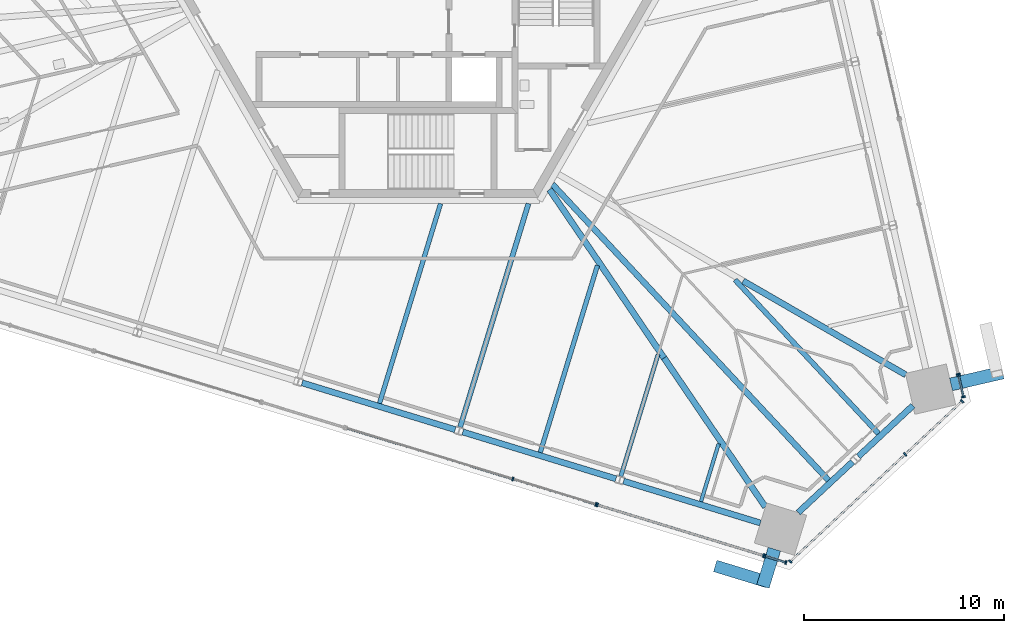
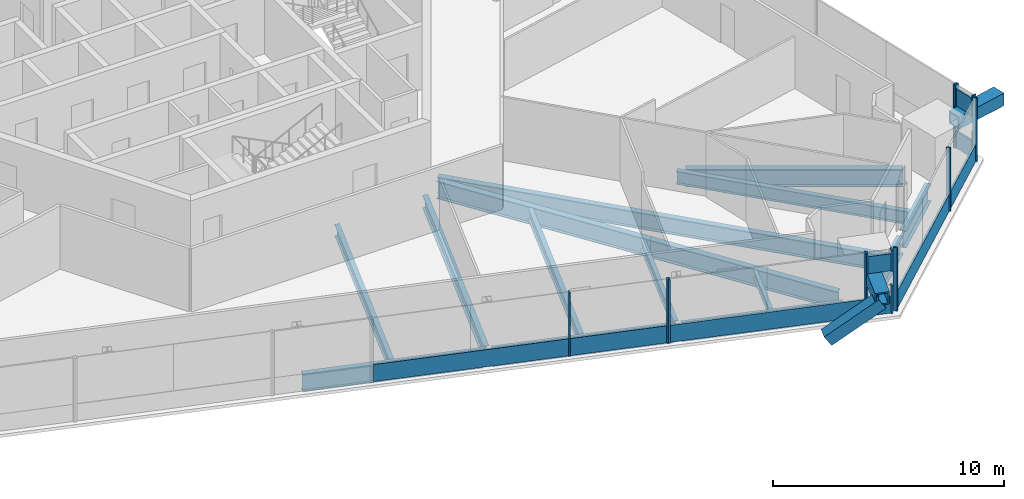
# One storey, part 6 of 25: 28 members, 15 beams, 8 elements without a shape of their own.
"""IFC4 building model written with IfcOpenShell, lengths in metres."""

from ifc_helpers import new_model, si_unit, direction, frame, origin, origin_2d, place, context, subcontext, project, spatial, rectangle, hollow_rectangle, i_section, extrude, source, transform, mapped, material, material_profile, profile_set, type_object, element, aggregate, save


model = new_model("IFC4")

# Units and contexts
model_context = context("Model", 3, precision=1e-05, world=origin(), true_north=direction((0.0, 1.0)))
body_context = subcontext(model_context, "Body", "Model", "MODEL_VIEW")
ifc_project = project(units=[si_unit("LENGTHUNIT", "METRE"), si_unit("AREAUNIT", "SQUARE_METRE"), si_unit("VOLUMEUNIT", "CUBIC_METRE"), si_unit("PLANEANGLEUNIT", "RADIAN"), si_unit("MASSUNIT", "GRAM", prefix="KILO")], contexts=[model_context])

# Site, building, storey
site_placement = place(None, origin())
site = spatial("IfcSite", under=ifc_project, at=site_placement, CompositionType="ELEMENT")
building_placement = place(site_placement, origin())
building = spatial("IfcBuilding", under=site, at=building_placement, Name="Triune Harvest Tower", CompositionType="ELEMENT")
storey_placement = place(building_placement, frame((0.0, 0.0, 130.699951171875)))
storey = spatial("IfcBuildingStorey", under=building, at=storey_placement, Name="L33", CompositionType="ELEMENT", Elevation=130.699951171875)

# Beams
ifc_material_1 = material(Name="Steel ASTM A992 Gr 50", Category="steel")
ifc_material_profile_1 = material_profile(ifc_material_1, i_section(OverallWidth=0.307373046875, OverallDepth=0.922119140625, WebThickness=0.018310546875, FlangeThickness=0.030029296875, at=origin_2d()), Name="W36x182")
ifc_profile_set_1 = profile_set([ifc_material_profile_1], Name="Steel ASTM A992 Gr 50")
beam_type_1 = type_object("IfcBeamType", Name="HG-2 Hip girder W36x182", PredefinedType="BEAM", material=ifc_profile_set_1)
shared_shape_1 = source(origin(), body_context, "Body", "SweptSolid", [
    extrude(i_section(OverallWidth=0.307373046875, OverallDepth=0.922119140625, WebThickness=0.018310546875, FlangeThickness=0.030029296875, at=origin_2d()), origin(), (0.0, 0.0, 1.0), 10.194091796875),
])
beam_1_placement = place(storey_placement, frame((12.31640625, -18.4208984375, -0.620849609375), z_axis=(-0.562397141719, 0.826867253545, 0.0), x_axis=(-0.826867253545, -0.562397141719, 0.0)))
element("IfcBeam", 1, at=beam_1_placement, inside=storey, type_object=beam_type_1, Name="beam/L33/HG8", PredefinedType="BEAM", context=body_context, shape_type="MappedRepresentation", body=[
    mapped(shared_shape_1, transform((0.0, 0.0, 0.0), scale=1.0)),
])
ifc_material_2 = material(Name="Steel ASTM A992 Gr 50", Category="steel")
ifc_material_profile_2 = material_profile(ifc_material_2, i_section(OverallWidth=0.3046875, OverallDepth=0.914306640625, WebThickness=0.0166015625, FlangeThickness=0.02587890625, at=origin_2d()), Name="W36x160")
ifc_profile_set_2 = profile_set([ifc_material_profile_2], Name="Steel ASTM A992 Gr 50")
beam_type_2 = type_object("IfcBeamType", Name="SB-1 Spandrel beam W36x160", PredefinedType="SPANDREL", material=ifc_profile_set_2)
shared_shape_2 = source(origin(), body_context, "Body", "SweptSolid", [
    extrude(i_section(OverallWidth=0.3046875, OverallDepth=0.914306640625, WebThickness=0.0166015625, FlangeThickness=0.02587890625, at=origin_2d()), origin(), (0.0, 0.0, 1.0), 8.018310546875),
])
beam_2_placement = place(storey_placement, frame((-5.805908203125, -19.66748046875, -0.6171875), z_axis=(0.956308069579, -0.292360866152, 0.0), x_axis=(0.292360866152, 0.956308069579, 0.0)))
element("IfcBeam", 2, at=beam_2_placement, inside=storey, type_object=beam_type_2, Name="beam/L33/SB20", PredefinedType="SPANDREL", context=body_context, shape_type="MappedRepresentation", body=[
    mapped(shared_shape_2, transform((0.0, 0.0, 0.0), scale=1.0)),
])
shared_shape_3 = source(origin(), body_context, "Body", "SweptSolid", [
    extrude(i_section(OverallWidth=0.3046875, OverallDepth=0.914306640625, WebThickness=0.0166015625, FlangeThickness=0.02587890625, at=origin_2d()), origin(), (0.0, 0.0, 1.0), 8.01806640625),
])
beam_3_placement = place(storey_placement, frame((2.240966796875, -22.127685546875, -0.6171875), z_axis=(0.956305466934, -0.292369379231, 0.0), x_axis=(0.292369379231, 0.956305466934, 0.0)))
element("IfcBeam", 3, at=beam_3_placement, inside=storey, type_object=beam_type_2, Name="beam/L33/SB21", PredefinedType="SPANDREL", context=body_context, shape_type="MappedRepresentation", body=[
    mapped(shared_shape_3, transform((0.0, 0.0, 0.0), scale=1.0)),
])
shared_shape_4 = source(origin(), body_context, "Body", "SweptSolid", [
    extrude(i_section(OverallWidth=0.3046875, OverallDepth=0.914306640625, WebThickness=0.0166015625, FlangeThickness=0.02587890625, at=origin_2d()), origin(), (0.0, 0.0, 1.0), 7.16650390625),
])
beam_4_placement = place(storey_placement, frame((10.287841796875, -24.587646484375, -0.6171875), z_axis=(0.956296811344, -0.292397689137, 0.0), x_axis=(0.292397689137, 0.956296811344, 0.0)))
element("IfcBeam", 4, at=beam_4_placement, inside=storey, type_object=beam_type_2, Name="beam/L33/SB22", PredefinedType="SPANDREL", context=body_context, shape_type="MappedRepresentation", body=[
    mapped(shared_shape_4, transform((0.0, 0.0, 0.0), scale=1.0)),
])
shared_shape_5 = source(origin(), body_context, "Body", "SweptSolid", [
    extrude(i_section(OverallWidth=0.3046875, OverallDepth=0.914306640625, WebThickness=0.0166015625, FlangeThickness=0.02587890625, at=origin_2d()), origin(), (0.0, 0.0, 1.0), 3.72607421875),
])
beam_5_placement = place(storey_placement, frame((19.03173828125, -26.1630859375, -0.6171875), z_axis=(0.731344988612, 0.682007703499, 0.0), x_axis=(-0.682007703499, 0.731344988612, 0.0)))
element("IfcBeam", 5, at=beam_5_placement, inside=storey, type_object=beam_type_2, Name="beam/L33/SB23", PredefinedType="SPANDREL", context=body_context, shape_type="MappedRepresentation", body=[
    mapped(shared_shape_5, transform((0.0, 0.0, 0.0), scale=1.0)),
])
shared_shape_6 = source(origin(), body_context, "Body", "SweptSolid", [
    extrude(i_section(OverallWidth=0.3046875, OverallDepth=0.914306640625, WebThickness=0.0166015625, FlangeThickness=0.02587890625, at=origin_2d()), origin(), (0.0, 0.0, 1.0), 3.726318359375),
])
beam_6_placement = place(storey_placement, frame((22.046630859375, -23.351806640625, -0.6171875), z_axis=(0.731375462482, 0.681975023647, 0.0), x_axis=(-0.681975023647, 0.731375462482, 0.0)))
element("IfcBeam", 6, at=beam_6_placement, inside=storey, type_object=beam_type_2, Name="beam/L33/SB24", PredefinedType="SPANDREL", context=body_context, shape_type="MappedRepresentation", body=[
    mapped(shared_shape_6, transform((0.0, 0.0, 0.0), scale=1.0)),
])
shared_shape_7 = source(origin(), body_context, "Body", "SweptSolid", [
    extrude(i_section(OverallWidth=0.307373046875, OverallDepth=0.922119140625, WebThickness=0.018310546875, FlangeThickness=0.030029296875, at=origin_2d()), origin(), (0.0, 0.0, 1.0), 9.3984375),
])
beam_7_placement = place(storey_placement, frame((24.415283203125, -19.265625, -0.620849609375), z_axis=(-0.866028560268, 0.49999453277, 0.0), x_axis=(-0.49999453277, -0.866028560268, 0.0)))
element("IfcBeam", 7, at=beam_7_placement, inside=storey, type_object=beam_type_1, Name="beam/L33/HG1", PredefinedType="BEAM", context=body_context, shape_type="MappedRepresentation", body=[
    mapped(shared_shape_7, transform((0.0, 0.0, 0.0), scale=1.0)),
])
shared_shape_8 = source(origin(), body_context, "Body", "SweptSolid", [
    extrude(i_section(OverallWidth=0.307373046875, OverallDepth=0.922119140625, WebThickness=0.018310546875, FlangeThickness=0.030029296875, at=origin_2d()), origin(), (0.0, 0.0, 1.0), 9.0166015625),
])
beam_8_placement = place(storey_placement, frame((17.3876953125, -25.876220703125, -0.620849609375), z_axis=(-0.562436658991, 0.826840374331, 0.0), x_axis=(-0.826840374331, -0.562436658991, 0.0)))
element("IfcBeam", 8, at=beam_8_placement, inside=storey, type_object=beam_type_1, Name="beam/L33/HG7", PredefinedType="BEAM", context=body_context, shape_type="MappedRepresentation", body=[
    mapped(shared_shape_8, transform((0.0, 0.0, 0.0), scale=1.0)),
])
ifc_material_3 = material(Name="Steel ASTM A992 Gr 50", Category="steel")
ifc_material_profile_3 = material_profile(ifc_material_3, i_section(OverallWidth=0.22900390625, OverallDepth=0.612060546875, WebThickness=0.011962890625, FlangeThickness=0.01953125, at=origin_2d()), Name="W24x84")
ifc_profile_set_3 = profile_set([ifc_material_profile_3], Name="Steel ASTM A992 Gr 50")
beam_type_3 = type_object("IfcBeamType", Name="JT-3 Floor joist W24x84", PredefinedType="JOIST", material=ifc_profile_set_3)
shared_shape_9 = source(origin(), body_context, "Body", "SweptSolid", [
    extrude(i_section(OverallWidth=0.22900390625, OverallDepth=0.612060546875, WebThickness=0.011962890625, FlangeThickness=0.01953125, at=origin_2d()), origin(), (0.0, 0.0, 1.0), 10.45361328125),
])
beam_9_placement = place(storey_placement, frame((-1.92724609375, -20.69384765625, -0.466064453125), z_axis=(0.29235559587, 0.956309680785, 0.0), x_axis=(-0.956309680785, 0.29235559587, 0.0)))
element("IfcBeam", 9, at=beam_9_placement, inside=storey, type_object=beam_type_3, Name="beam/L33/JT33", PredefinedType="JOIST", context=body_context, shape_type="MappedRepresentation", body=[
    mapped(shared_shape_9, transform((0.0, 0.0, 0.0), scale=1.0)),
])
shared_shape_10 = source(origin(), body_context, "Body", "SweptSolid", [
    extrude(i_section(OverallWidth=0.22900390625, OverallDepth=0.612060546875, WebThickness=0.011962890625, FlangeThickness=0.01953125, at=origin_2d()), origin(), (0.0, 0.0, 1.0), 9.790283203125),
])
beam_10_placement = place(storey_placement, frame((6.119384765625, -23.154052734375, -0.466064453125), z_axis=(0.292383884863, 0.956301032036, 0.0), x_axis=(-0.956301032036, 0.292383884863, 0.0)))
element("IfcBeam", 10, at=beam_10_placement, inside=storey, type_object=beam_type_3, Name="beam/L33/JT35", PredefinedType="JOIST", context=body_context, shape_type="MappedRepresentation", body=[
    mapped(shared_shape_10, transform((0.0, 0.0, 0.0), scale=1.0)),
])
ifc_material_4 = material(Name="Steel ASTM A992 Gr 50", Category="steel")
ifc_material_profile_4 = material_profile(ifc_material_4, i_section(OverallWidth=0.253662109375, OverallDepth=0.683349609375, WebThickness=0.012451171875, FlangeThickness=0.01904296875, at=origin_2d()), Name="W27x94")
ifc_profile_set_4 = profile_set([ifc_material_profile_4], Name="Steel ASTM A992 Gr 50")
beam_type_4 = type_object("IfcBeamType", Name="JT-4 Floor joist W27x94", PredefinedType="JOIST", material=ifc_profile_set_4)
shared_shape_11 = source(origin(), body_context, "Body", "SweptSolid", [
    extrude(i_section(OverallWidth=0.253662109375, OverallDepth=0.683349609375, WebThickness=0.012451171875, FlangeThickness=0.01904296875, at=origin_2d()), origin(), (0.0, 0.0, 1.0), 11.70166015625),
])
beam_11_placement = place(storey_placement, frame((2.107177734375, -21.887451171875, -0.50146484375), z_axis=(0.292381788251, 0.956301673061, 0.0), x_axis=(-0.956301673061, 0.292381788251, 0.0)))
element("IfcBeam", 11, at=beam_11_placement, inside=storey, type_object=beam_type_4, Name="beam/L33/JT34", PredefinedType="JOIST", context=body_context, shape_type="MappedRepresentation", body=[
    mapped(shared_shape_11, transform((0.0, 0.0, 0.0), scale=1.0)),
])
ifc_material_5 = material(Name="Steel ASTM A992 Gr 50", Category="steel")
ifc_material_profile_5 = material_profile(ifc_material_5, i_section(OverallWidth=0.2099609375, OverallDepth=0.535888671875, WebThickness=0.010986328125, FlangeThickness=0.017333984375, at=origin_2d()), Name="W21x68")
ifc_profile_set_5 = profile_set([ifc_material_profile_5], Name="Steel ASTM A992 Gr 50")
beam_type_5 = type_object("IfcBeamType", Name="JT-2 Floor joist W21x68", PredefinedType="JOIST", material=ifc_profile_set_5)
shared_shape_12 = source(origin(), body_context, "Body", "SweptSolid", [
    extrude(i_section(OverallWidth=0.2099609375, OverallDepth=0.535888671875, WebThickness=0.010986328125, FlangeThickness=0.017333984375, at=origin_2d()), origin(), (0.0, 0.0, 1.0), 6.3720703125),
])
beam_12_placement = place(storey_placement, frame((10.154052734375, -24.34765625, -0.427978515625), z_axis=(0.292370379947, 0.956305160986, 0.0), x_axis=(-0.956305160986, 0.292370379947, 0.0)))
element("IfcBeam", 12, at=beam_12_placement, inside=storey, type_object=beam_type_5, Name="beam/L33/JT36", PredefinedType="JOIST", context=body_context, shape_type="MappedRepresentation", body=[
    mapped(shared_shape_12, transform((0.0, 0.0, 0.0), scale=1.0)),
])
ifc_material_6 = material(Name="Steel ASTM A992 Gr 50", Category="steel")
ifc_material_profile_6 = material_profile(ifc_material_6, i_section(OverallWidth=0.2919921875, OverallDepth=0.8583984375, WebThickness=0.01708984375, FlangeThickness=0.031005859375, at=origin_2d()), Name="W33x169")
ifc_profile_set_6 = profile_set([ifc_material_profile_6], Name="Steel ASTM A992 Gr 50")
beam_type_6 = type_object("IfcBeamType", Name="JT-7 Floor joist W33x169", PredefinedType="JOIST", material=ifc_profile_set_6)
shared_shape_13 = source(origin(), body_context, "Body", "SweptSolid", [
    extrude(i_section(OverallWidth=0.2919921875, OverallDepth=0.8583984375, WebThickness=0.01708984375, FlangeThickness=0.031005859375, at=origin_2d()), origin(), (0.0, 0.0, 1.0), 20.25244140625),
])
beam_13_placement = place(storey_placement, frame((20.545654296875, -24.54296875, -0.58935546875), z_axis=(-0.681993474081, 0.73135825784, 0.0), x_axis=(-0.73135825784, -0.681993474081, 0.0)))
element("IfcBeam", 13, at=beam_13_placement, inside=storey, type_object=beam_type_6, Name="beam/L33/JT38", PredefinedType="JOIST", context=body_context, shape_type="MappedRepresentation", body=[
    mapped(shared_shape_13, transform((0.0, 0.0, 0.0), scale=1.0)),
])
shared_shape_14 = source(origin(), body_context, "Body", "SweptSolid", [
    extrude(i_section(OverallWidth=0.253662109375, OverallDepth=0.683349609375, WebThickness=0.012451171875, FlangeThickness=0.01904296875, at=origin_2d()), origin(), (0.0, 0.0, 1.0), 10.52294921875),
])
beam_14_placement = place(storey_placement, frame((23.05029296875, -22.20751953125, -0.50146484375), z_axis=(-0.682013989315, 0.731339126793, 0.0), x_axis=(-0.731339126793, -0.682013989315, 0.0)))
element("IfcBeam", 14, at=beam_14_placement, inside=storey, type_object=beam_type_4, Name="beam/L33/JT39", PredefinedType="JOIST", context=body_context, shape_type="MappedRepresentation", body=[
    mapped(shared_shape_14, transform((0.0, 0.0, 0.0), scale=1.0)),
])
ifc_material_7 = material(Name="Steel ASTM A992 Gr 50", Category="steel")
ifc_material_profile_7 = material_profile(ifc_material_7, i_section(OverallWidth=0.180908203125, OverallDepth=0.41650390625, WebThickness=0.010986328125, FlangeThickness=0.01806640625, at=origin_2d()), Name="W16x57")
ifc_profile_set_7 = profile_set([ifc_material_profile_7], Name="Steel ASTM A992 Gr 50")
beam_type_7 = type_object("IfcBeamType", Name="JT-1 Floor joist W16x57", PredefinedType="JOIST", material=ifc_profile_set_7)
shared_shape_15 = source(origin(), body_context, "Body", "SweptSolid", [
    extrude(i_section(OverallWidth=0.180908203125, OverallDepth=0.41650390625, WebThickness=0.010986328125, FlangeThickness=0.01806640625, at=origin_2d()), origin(), (0.0, 0.0, 1.0), 3.030029296875),
])
beam_15_placement = place(storey_placement, frame((14.166259765625, -25.614013671875, -0.3681640625), z_axis=(0.2923925234, 0.956298390807, 0.0), x_axis=(-0.956298390807, 0.2923925234, 0.0)))
element("IfcBeam", 15, at=beam_15_placement, inside=storey, type_object=beam_type_7, Name="beam/L33/JT37", PredefinedType="JOIST", context=body_context, shape_type="MappedRepresentation", body=[
    mapped(shared_shape_15, transform((0.0, 0.0, 0.0), scale=1.0)),
])

# Members
ifc_material_8 = material(Name="Steel ASTM A572 Gr 50", Category="steel")
ifc_material_profile_8 = material_profile(ifc_material_8, hollow_rectangle(XDim=0.64990234375, YDim=0.64990234375, WallThickness=0.070068359375, at=origin_2d()), Name="Box 650x650x70")
ifc_profile_set_8 = profile_set([ifc_material_profile_8], Name="Steel ASTM A572 Gr 50")
member_type_1 = type_object("IfcMemberType", Name="BS-1 Brace stub Box 650x650x70", PredefinedType="STRUT", material=ifc_profile_set_8)
shared_shape_16 = source(origin(), body_context, "Body", "SweptSolid", [
    extrude(hollow_rectangle(XDim=0.64990234375, YDim=0.64990234375, WallThickness=0.070068359375, at=origin_2d()), origin(), (0.0, 0.0, 1.0), 1.94873046875),
])
member_1_placement = place(storey_placement, frame((17.838134765625, -27.994140625, 1.85009765625), z_axis=(-0.29241268872, -0.956292224937, 0.0), x_axis=(0.956292224937, -0.29241268872, 0.0)))
element("IfcMember", 16, at=member_1_placement, inside=storey, type_object=member_type_1, Name="brace/B3-F5/stub2", PredefinedType="STRUT", context=body_context, shape_type="MappedRepresentation", body=[
    mapped(shared_shape_16, transform((0.0, 0.0, 0.0), scale=1.0)),
])
shared_shape_17 = source(origin(), body_context, "Body", "SweptSolid", [
    extrude(hollow_rectangle(XDim=0.64990234375, YDim=0.64990234375, WallThickness=0.070068359375, at=origin_2d()), origin(), (0.0, 0.0, 1.0), 2.648681640625),
])
member_2_placement = place(storey_placement, frame((26.681640625, -19.747314453125, 1.85009765625), z_axis=(0.974380319994, 0.224906629532, 0.0), x_axis=(-0.224906629532, 0.974380319994, 0.0)))
element("IfcMember", 17, at=member_2_placement, inside=storey, type_object=member_type_1, Name="brace/B3-F1/stub4", PredefinedType="STRUT", context=body_context, shape_type="MappedRepresentation", body=[
    mapped(shared_shape_17, transform((0.0, 0.0, 0.0), scale=1.0)),
])
ifc_material_9 = material(Name="Steel ASTM A572 Gr 50", Category="steel")
ifc_material_profile_9 = material_profile(ifc_material_9, hollow_rectangle(XDim=0.60009765625, YDim=0.60009765625, WallThickness=0.0400390625, at=origin_2d()), Name="Box 600x600x40")
ifc_profile_set_9 = profile_set([ifc_material_profile_9], Name="Steel ASTM A572 Gr 50")
member_type_2 = type_object("IfcMemberType", Name="BR-2 Brace Box 600x600x40", PredefinedType="BRACE", material=ifc_profile_set_9)
shared_shape_18 = source(origin(), body_context, "Body", "SweptSolid", [
    extrude(hollow_rectangle(XDim=0.60009765625, YDim=0.60009765625, WallThickness=0.0400390625, at=origin_2d()), origin(), (0.0, 0.0, 1.0), 2.893310546875),
])
member_3_placement = place(storey_placement, frame((15.0361328125, -28.88232421875, 0.0), z_axis=(0.799738988938, -0.244528760281, 0.548291195413), x_axis=(0.292397965248, 0.956296726921, 0.0)))
element("IfcMember", 18, at=member_3_placement, inside=storey, type_object=member_type_2, Name="brace/B3-F5/d1/10", PredefinedType="BRACE", context=body_context, shape_type="MappedRepresentation", body=[
    mapped(shared_shape_18, transform((0.0, 0.0, 0.0), scale=1.0)),
])

# Curtain wall, member
ifc_material_10 = material(Name="Aluminium bronze anodised", Category="aluminium")
curtain_wall_type_1 = type_object("IfcCurtainWallType", Name="CW-7 Tower stick curtain wall with insulated spandrel infill", PredefinedType="NOTDEFINED", material=ifc_material_10)
curtain_wall_1_placement = place(storey_placement, origin())
curtain_wall_1 = element("IfcCurtainWall", 19, at=curtain_wall_1_placement, inside=storey, type_object=curtain_wall_type_1, Name="CW-7 B3-F1 L33 run 201")
ifc_material_11 = material(Name="Aluminium bronze anodised", Category="aluminium")
ifc_material_profile_10 = material_profile(ifc_material_11, rectangle(XDim=0.199951171875, YDim=0.074951171875, at=origin_2d()), Name="MU-1 mullion 75 x 200")
ifc_profile_set_10 = profile_set([ifc_material_profile_10], Name="Aluminium bronze anodised")
member_type_3 = type_object("IfcMemberType", Name="MU-1 mullion 75 x 200", PredefinedType="MULLION", material=ifc_profile_set_10)
shared_shape_19 = source(origin(), body_context, "Body", "SweptSolid", [
    extrude(rectangle(XDim=0.199951171875, YDim=0.074951171875, at=origin_2d()), origin(), (0.0, 0.0, 1.0), 3.35009765625),
])
member_4_placement = place(storey_placement, frame((27.043212890625, -19.230224609375, 0.0), z_axis=(0.0, 0.0, 1.0), x_axis=(-0.974370444767, -0.224949408455, 0.0)))
member_4 = element("IfcMember", 20, at=member_4_placement, type_object=member_type_3, Name="CW-7 mullion B3-F1 201.1", PredefinedType="MULLION", context=body_context, shape_type="MappedRepresentation", body=[
    mapped(shared_shape_19, transform((0.0, 0.0, 0.0), scale=1.0)),
])
aggregate(curtain_wall_1, [member_4])

# Curtain wall, members
ifc_material_12 = material(Name="Aluminium bronze anodised", Category="aluminium")
curtain_wall_type_2 = type_object("IfcCurtainWallType", Name="CW-1 Tower stick curtain wall", PredefinedType="NOTDEFINED", material=ifc_material_12)
curtain_wall_2_placement = place(storey_placement, origin())
curtain_wall_2 = element("IfcCurtainWall", 21, at=curtain_wall_2_placement, inside=storey, type_object=curtain_wall_type_2, Name="CW-1 B3-F5 L33 run 3301")
member_5_placement = place(storey_placement, frame((4.74755859375, -24.48193359375, 0.0), z_axis=(0.0, 0.0, 1.0), x_axis=(0.292370846839, 0.956305018244, 0.0)))
member_5 = element("IfcMember", 22, at=member_5_placement, type_object=member_type_3, Name="CW-1 mullion B3-F5 3301.3", PredefinedType="MULLION", context=body_context, shape_type="MappedRepresentation", body=[
    mapped(shared_shape_19, transform((0.0, 0.0, 0.0), scale=1.0)),
])
member_6_placement = place(storey_placement, frame((8.90673828125, -25.753662109375, 0.0), z_axis=(0.0, 0.0, 1.0), x_axis=(0.292370846839, 0.956305018244, 0.0)))
member_6 = element("IfcMember", 23, at=member_6_placement, type_object=member_type_3, Name="CW-1 mullion B3-F5 3301.4", PredefinedType="MULLION", context=body_context, shape_type="MappedRepresentation", body=[
    mapped(shared_shape_19, transform((0.0, 0.0, 0.0), scale=1.0)),
])

curtain_wall_3_placement = place(storey_placement, origin())
curtain_wall_3 = element("IfcCurtainWall", 24, at=curtain_wall_3_placement, inside=storey, type_object=curtain_wall_type_1, Name="CW-7 B3-F5 L33 run 4301")
member_7_placement = place(storey_placement, frame((8.978515625, -25.775634765625, 0.0), z_axis=(0.0, 0.0, 1.0), x_axis=(0.292377795875, 0.95630289369, 0.0)))
member_7 = element("IfcMember", 25, at=member_7_placement, type_object=member_type_3, Name="CW-7 mullion B3-F5 4301.1", PredefinedType="MULLION", context=body_context, shape_type="MappedRepresentation", body=[
    mapped(shared_shape_19, transform((0.0, 0.0, 0.0), scale=1.0)),
])
member_8_placement = place(storey_placement, frame((17.297119140625, -28.31884765625, 0.0), z_axis=(0.0, 0.0, 1.0), x_axis=(0.292377795875, 0.95630289369, 0.0)))
member_8 = element("IfcMember", 26, at=member_8_placement, type_object=member_type_3, Name="CW-7 mullion B3-F5 4301.3", PredefinedType="MULLION", context=body_context, shape_type="MappedRepresentation", body=[
    mapped(shared_shape_19, transform((0.0, 0.0, 0.0), scale=1.0)),
])

curtain_wall_4_placement = place(storey_placement, origin())
curtain_wall_4 = element("IfcCurtainWall", 27, at=curtain_wall_4_placement, inside=storey, type_object=curtain_wall_type_1, Name="CW-7 B3-F6 L33 run 1")
member_9_placement = place(storey_placement, frame((18.6328125, -28.61181640625, 0.0), z_axis=(0.0, 0.0, 1.0), x_axis=(-0.682002387287, 0.731349946151, 0.0)))
member_9 = element("IfcMember", 28, at=member_9_placement, type_object=member_type_3, Name="CW-7 mullion B3-F6 1.1", PredefinedType="MULLION", context=body_context, shape_type="MappedRepresentation", body=[
    mapped(shared_shape_19, transform((0.0, 0.0, 0.0), scale=1.0)),
])
member_10_placement = place(storey_placement, frame((24.381591796875, -23.2509765625, 0.0), z_axis=(0.0, 0.0, 1.0), x_axis=(-0.682002387287, 0.731349946151, 0.0)))
member_10 = element("IfcMember", 29, at=member_10_placement, type_object=member_type_3, Name="CW-7 mullion B3-F6 1.3", PredefinedType="MULLION", context=body_context, shape_type="MappedRepresentation", body=[
    mapped(shared_shape_19, transform((0.0, 0.0, 0.0), scale=1.0)),
])
member_11_placement = place(storey_placement, frame((27.2421875, -20.583251953125, 0.0), z_axis=(0.0, 0.0, 1.0), x_axis=(-0.682002387287, 0.731349946151, 0.0)))
member_11 = element("IfcMember", 30, at=member_11_placement, type_object=member_type_3, Name="CW-7 mullion B3-F6 1.4", PredefinedType="MULLION", context=body_context, shape_type="MappedRepresentation", body=[
    mapped(shared_shape_19, transform((0.0, 0.0, 0.0), scale=1.0)),
])

curtain_wall_5_placement = place(storey_placement, origin())
curtain_wall_5 = element("IfcCurtainWall", 31, at=curtain_wall_5_placement, inside=storey, type_object=curtain_wall_type_1, Name="CW-7 B3-F1 L33 run 1")
shared_shape_20 = source(origin(), body_context, "Body", "SweptSolid", [
    extrude(rectangle(XDim=0.199951171875, YDim=0.074951171875, at=origin_2d()), origin(), (0.0, 0.0, 1.0), 1.465087890625),
])
member_12_placement = place(storey_placement, frame((27.306884765625, -20.3720703125, 0.0), z_axis=(0.0, 0.0, 1.0), x_axis=(-0.974371056231, -0.224946759876, 0.0)))
member_12 = element("IfcMember", 32, at=member_12_placement, type_object=member_type_3, Name="CW-7 mullion B3-F1 1.1", PredefinedType="MULLION", context=body_context, shape_type="MappedRepresentation", body=[
    mapped(shared_shape_20, transform((0.0, 0.0, 0.0), scale=1.0)),
])
member_13_placement = place(storey_placement, frame((27.06005859375, -19.30322265625, 0.0), z_axis=(0.0, 0.0, 1.0), x_axis=(-0.974371056231, -0.224946759876, 0.0)))
member_13 = element("IfcMember", 33, at=member_13_placement, type_object=member_type_3, Name="CW-7 mullion B3-F1 1.2", PredefinedType="MULLION", context=body_context, shape_type="MappedRepresentation", body=[
    mapped(shared_shape_20, transform((0.0, 0.0, 0.0), scale=1.0)),
])

curtain_wall_6_placement = place(storey_placement, origin())
curtain_wall_6 = element("IfcCurtainWall", 34, at=curtain_wall_6_placement, inside=storey, type_object=curtain_wall_type_1, Name="CW-7 B3-F5 L33 run 401")
member_14_placement = place(storey_placement, frame((17.36865234375, -28.3408203125, 0.0), z_axis=(0.0, 0.0, 1.0), x_axis=(0.292370298651, 0.956305185841, 0.0)))
member_14 = element("IfcMember", 35, at=member_14_placement, type_object=member_type_3, Name="CW-7 mullion B3-F5 401.1", PredefinedType="MULLION", context=body_context, shape_type="MappedRepresentation", body=[
    mapped(shared_shape_20, transform((0.0, 0.0, 0.0), scale=1.0)),
])
member_15_placement = place(storey_placement, frame((18.417724609375, -28.661376953125, 0.0), z_axis=(0.0, 0.0, 1.0), x_axis=(0.292370298651, 0.956305185841, 0.0)))
member_15 = element("IfcMember", 36, at=member_15_placement, type_object=member_type_3, Name="CW-7 mullion B3-F5 401.2", PredefinedType="MULLION", context=body_context, shape_type="MappedRepresentation", body=[
    mapped(shared_shape_20, transform((0.0, 0.0, 0.0), scale=1.0)),
])

curtain_wall_7_placement = place(storey_placement, origin())
curtain_wall_7 = element("IfcCurtainWall", 37, at=curtain_wall_7_placement, inside=storey, type_object=curtain_wall_type_2, Name="CW-1 B3-F1 L33 run 101")
shared_shape_21 = source(origin(), body_context, "Body", "SweptSolid", [
    extrude(rectangle(XDim=0.199951171875, YDim=0.074951171875, at=origin_2d()), origin(), (0.0, 0.0, 1.0), 1.114990234375),
])
member_16_placement = place(storey_placement, frame((27.306884765625, -20.3720703125, 2.235107421875), z_axis=(0.0, 0.0, 1.0), x_axis=(-0.974371056231, -0.224946759876, 0.0)))
member_16 = element("IfcMember", 38, at=member_16_placement, type_object=member_type_3, Name="CW-1 mullion B3-F1 101.1", PredefinedType="MULLION", context=body_context, shape_type="MappedRepresentation", body=[
    mapped(shared_shape_21, transform((0.0, 0.0, 0.0), scale=1.0)),
])
member_17_placement = place(storey_placement, frame((27.06005859375, -19.30322265625, 2.235107421875), z_axis=(0.0, 0.0, 1.0), x_axis=(-0.974371056231, -0.224946759876, 0.0)))
member_17 = element("IfcMember", 39, at=member_17_placement, type_object=member_type_3, Name="CW-1 mullion B3-F1 101.2", PredefinedType="MULLION", context=body_context, shape_type="MappedRepresentation", body=[
    mapped(shared_shape_21, transform((0.0, 0.0, 0.0), scale=1.0)),
])

curtain_wall_8_placement = place(storey_placement, origin())
curtain_wall_8 = element("IfcCurtainWall", 40, at=curtain_wall_8_placement, inside=storey, type_object=curtain_wall_type_2, Name="CW-1 B3-F5 L33 run 501")
member_18_placement = place(storey_placement, frame((17.36865234375, -28.3408203125, 2.235107421875), z_axis=(0.0, 0.0, 1.0), x_axis=(0.292370298651, 0.956305185841, 0.0)))
member_18 = element("IfcMember", 41, at=member_18_placement, type_object=member_type_3, Name="CW-1 mullion B3-F5 501.1", PredefinedType="MULLION", context=body_context, shape_type="MappedRepresentation", body=[
    mapped(shared_shape_21, transform((0.0, 0.0, 0.0), scale=1.0)),
])
member_19_placement = place(storey_placement, frame((18.417724609375, -28.661376953125, 2.235107421875), z_axis=(0.0, 0.0, 1.0), x_axis=(0.292370298651, 0.956305185841, 0.0)))
member_19 = element("IfcMember", 42, at=member_19_placement, type_object=member_type_3, Name="CW-1 mullion B3-F5 501.2", PredefinedType="MULLION", context=body_context, shape_type="MappedRepresentation", body=[
    mapped(shared_shape_21, transform((0.0, 0.0, 0.0), scale=1.0)),
])

# Member
ifc_material_13 = material(Name="Aluminium bronze anodised", Category="aluminium")
ifc_material_profile_11 = material_profile(ifc_material_13, rectangle(XDim=0.090087890625, YDim=0.89990234375, at=origin_2d()), Name="TR-1 transom 90 x 900")
ifc_profile_set_11 = profile_set([ifc_material_profile_11], Name="Aluminium bronze anodised")
member_type_4 = type_object("IfcMemberType", Name="TR-1 transom 90 x 900", PredefinedType="USERDEFINED", material=ifc_profile_set_11)
shared_shape_22 = source(origin(), body_context, "Body", "SweptSolid", [
    extrude(rectangle(XDim=0.090087890625, YDim=0.89990234375, at=origin_2d()), origin(), (0.0, 0.0, 1.0), 1.021728515625),
])
member_20_placement = place(storey_placement, frame((27.29833984375, -20.33544921875, 0.449951171875), z_axis=(-0.224842056026, 0.974395222608, 0.0), x_axis=(-0.974395222608, -0.224842056026, 0.0)))
member_20 = element("IfcMember", 43, at=member_20_placement, type_object=member_type_4, Name="CW-7 transom B3-F1 1.1", ObjectType="TRANSOM", PredefinedType="USERDEFINED", context=body_context, shape_type="MappedRepresentation", body=[
    mapped(shared_shape_22, transform((0.0, 0.0, 0.0), scale=1.0)),
])

aggregate(curtain_wall_5, [member_12, member_13, member_20])

member_21_placement = place(storey_placement, frame((27.29833984375, -20.33544921875, 2.68505859375), z_axis=(-0.224842056026, 0.974395222608, 0.0), x_axis=(-0.974395222608, -0.224842056026, 0.0)))
member_21 = element("IfcMember", 44, at=member_21_placement, type_object=member_type_4, Name="CW-1 transom B3-F1 101.1", ObjectType="TRANSOM", PredefinedType="USERDEFINED", context=body_context, shape_type="MappedRepresentation", body=[
    mapped(shared_shape_22, transform((0.0, 0.0, 0.0), scale=1.0)),
])

aggregate(curtain_wall_7, [member_16, member_17, member_21])

shared_shape_23 = source(origin(), body_context, "Body", "SweptSolid", [
    extrude(rectangle(XDim=0.090087890625, YDim=0.89990234375, at=origin_2d()), origin(), (0.0, 0.0, 1.0), 8.660888671875),
])
member_22_placement = place(storey_placement, frame((-3.57080078125, -21.938720703125, 0.449951171875), z_axis=(0.956296191358, -0.292399716815, 0.0), x_axis=(0.292399716815, 0.956296191358, 0.0)))
member_22 = element("IfcMember", 45, at=member_22_placement, type_object=member_type_4, Name="CW-1 transom B3-F5 3301.1", ObjectType="TRANSOM", PredefinedType="USERDEFINED", context=body_context, shape_type="MappedRepresentation", body=[
    mapped(shared_shape_23, transform((0.0, 0.0, 0.0), scale=1.0)),
])

shared_shape_24 = source(origin(), body_context, "Body", "SweptSolid", [
    extrude(rectangle(XDim=0.090087890625, YDim=0.89990234375, at=origin_2d()), origin(), (0.0, 0.0, 1.0), 4.2744140625),
])
member_23_placement = place(storey_placement, frame((4.783447265625, -24.492919921875, 0.449951171875), z_axis=(0.956302341324, -0.292379602535, 0.0), x_axis=(0.292379602535, 0.956302341324, 0.0)))
member_23 = element("IfcMember", 46, at=member_23_placement, type_object=member_type_4, Name="CW-1 transom B3-F5 3301.2", ObjectType="TRANSOM", PredefinedType="USERDEFINED", context=body_context, shape_type="MappedRepresentation", body=[
    mapped(shared_shape_24, transform((0.0, 0.0, 0.0), scale=1.0)),
])

aggregate(curtain_wall_2, [member_5, member_6, member_22, member_23])

shared_shape_25 = source(origin(), body_context, "Body", "SweptSolid", [
    extrude(rectangle(XDim=0.090087890625, YDim=0.89990234375, at=origin_2d()), origin(), (0.0, 0.0, 1.0), 7.78564453125),
])
member_24_placement = place(storey_placement, frame((18.66015625, -28.586181640625, 0.449951171875), z_axis=(0.731354473546, 0.681997532271, 0.0), x_axis=(-0.681997532271, 0.731354473546, 0.0)))
member_24 = element("IfcMember", 47, at=member_24_placement, type_object=member_type_4, Name="CW-7 transom B3-F6 1.1", ObjectType="TRANSOM", PredefinedType="USERDEFINED", context=body_context, shape_type="MappedRepresentation", body=[
    mapped(shared_shape_25, transform((0.0, 0.0, 0.0), scale=1.0)),
])

shared_shape_26 = source(origin(), body_context, "Body", "SweptSolid", [
    extrude(rectangle(XDim=0.090087890625, YDim=0.89990234375, at=origin_2d()), origin(), (0.0, 0.0, 1.0), 3.83642578125),
])
member_25_placement = place(storey_placement, frame((24.408935546875, -23.225341796875, 0.449951171875), z_axis=(0.73136626704, 0.681984885049, 0.0), x_axis=(-0.681984885049, 0.73136626704, 0.0)))
member_25 = element("IfcMember", 48, at=member_25_placement, type_object=member_type_4, Name="CW-7 transom B3-F6 1.2", ObjectType="TRANSOM", PredefinedType="USERDEFINED", context=body_context, shape_type="MappedRepresentation", body=[
    mapped(shared_shape_26, transform((0.0, 0.0, 0.0), scale=1.0)),
])

aggregate(curtain_wall_4, [member_9, member_10, member_11, member_24, member_25])

shared_shape_27 = source(origin(), body_context, "Body", "SweptSolid", [
    extrude(rectangle(XDim=0.090087890625, YDim=0.89990234375, at=origin_2d()), origin(), (0.0, 0.0, 1.0), 1.02197265625),
])
member_26_placement = place(storey_placement, frame((17.404541015625, -28.351806640625, 0.449951171875), z_axis=(0.956360843757, -0.292188186839, 0.0), x_axis=(0.292188186839, 0.956360843757, 0.0)))
member_26 = element("IfcMember", 49, at=member_26_placement, type_object=member_type_4, Name="CW-7 transom B3-F5 401.1", ObjectType="TRANSOM", PredefinedType="USERDEFINED", context=body_context, shape_type="MappedRepresentation", body=[
    mapped(shared_shape_27, transform((0.0, 0.0, 0.0), scale=1.0)),
])

aggregate(curtain_wall_6, [member_14, member_15, member_26])

member_27_placement = place(storey_placement, frame((17.404541015625, -28.351806640625, 2.68505859375), z_axis=(0.956360843757, -0.292188186839, 0.0), x_axis=(0.292188186839, 0.956360843757, 0.0)))
member_27 = element("IfcMember", 50, at=member_27_placement, type_object=member_type_4, Name="CW-1 transom B3-F5 501.1", ObjectType="TRANSOM", PredefinedType="USERDEFINED", context=body_context, shape_type="MappedRepresentation", body=[
    mapped(shared_shape_27, transform((0.0, 0.0, 0.0), scale=1.0)),
])

aggregate(curtain_wall_8, [member_18, member_19, member_27])

shared_shape_28 = source(origin(), body_context, "Body", "SweptSolid", [
    extrude(rectangle(XDim=0.090087890625, YDim=0.89990234375, at=origin_2d()), origin(), (0.0, 0.0, 1.0), 8.62353515625),
])
member_28_placement = place(storey_placement, frame((9.014404296875, -25.78662109375, 0.449951171875), z_axis=(0.956306946087, -0.292364541053, 0.0), x_axis=(0.292364541053, 0.956306946087, 0.0)))
member_28 = element("IfcMember", 51, at=member_28_placement, type_object=member_type_4, Name="CW-7 transom B3-F5 4301.1", ObjectType="TRANSOM", PredefinedType="USERDEFINED", context=body_context, shape_type="MappedRepresentation", body=[
    mapped(shared_shape_28, transform((0.0, 0.0, 0.0), scale=1.0)),
])

aggregate(curtain_wall_3, [member_7, member_8, member_28])

save(model, "model.ifc")
